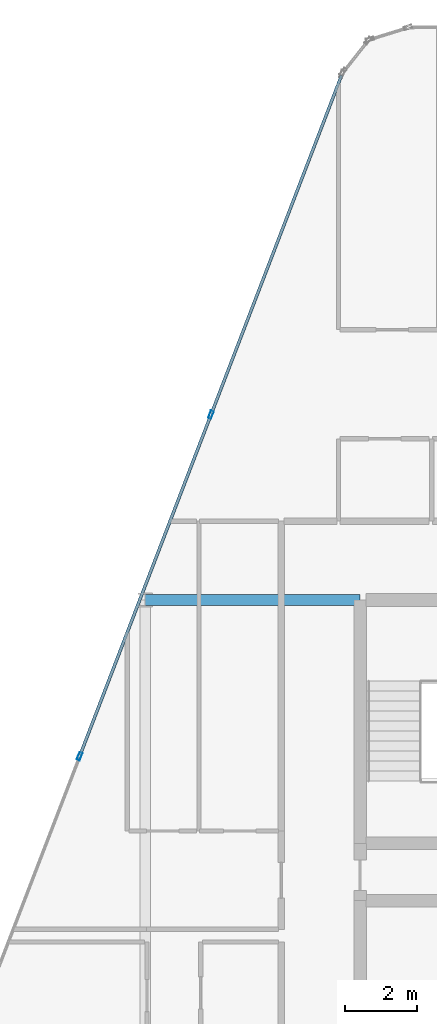
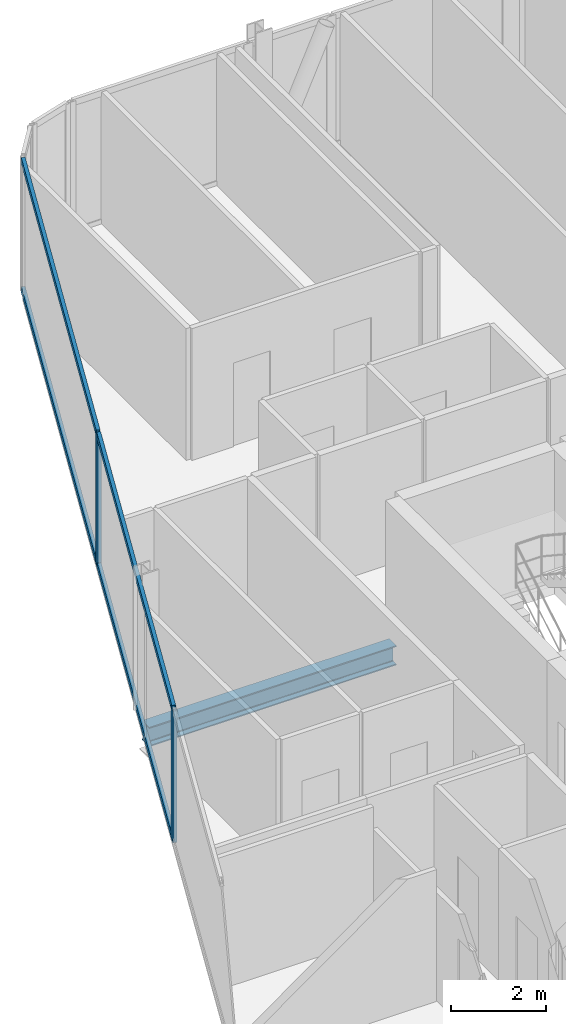
# One storey, part 12 of 33: 6 members, 1 beam, 1 element without a shape of its own.
"""IFC4 building model written with IfcOpenShell, lengths in metres."""

from ifc_helpers import new_model, si_unit, direction, frame, origin, origin_2d, place, context, subcontext, project, spatial, hollow_rectangle, i_section, extrude, material, layer, layer_set, material_profile, profile_set, type_object, element, aggregate, save


model = new_model("IFC4")

# Units and contexts
model_context = context("Model", 3, precision=1e-05, world=origin(), true_north=direction((0.0, 1.0)))
body_context = subcontext(model_context, "Body", "Model", "MODEL_VIEW")
ifc_project = project(units=[si_unit("LENGTHUNIT", "METRE"), si_unit("AREAUNIT", "SQUARE_METRE"), si_unit("VOLUMEUNIT", "CUBIC_METRE"), si_unit("PLANEANGLEUNIT", "RADIAN"), si_unit("MASSUNIT", "GRAM", prefix="KILO")], contexts=[model_context])

# Site, building, storey
site_placement = place(None, origin())
site = spatial("IfcSite", under=ifc_project, at=site_placement, CompositionType="ELEMENT")
building_placement = place(site_placement, origin())
building = spatial("IfcBuilding", under=site, at=building_placement, Name="Keshet Zoharim Tower", CompositionType="ELEMENT")
storey_placement = place(building_placement, frame((0.0, 0.0, 73.800048828125)))
storey = spatial("IfcBuildingStorey", under=building, at=storey_placement, Name="L17", CompositionType="ELEMENT", Elevation=73.800048828125)

# Beam
ifc_material_1 = material(Name="Steel S355", Category="steel")
ifc_material_profile_1 = material_profile(ifc_material_1, i_section(OverallWidth=0.300048828125, OverallDepth=0.5, WebThickness=0.014404296875, FlangeThickness=0.028076171875, FilletRadius=0.027099609375, at=origin_2d()), Name="HEB500")
ifc_profile_set_1 = profile_set([ifc_material_profile_1], Name="Steel S355")
beam_type = type_object("IfcBeamType", Name="BM-WEB-HB500", PredefinedType="BEAM", material=ifc_profile_set_1)
beam_placement = place(storey_placement, frame((9.0, 37.89990234375, -0.56494140625), z_axis=(1.0, 0.0, 0.0), x_axis=(0.0, 1.0, 0.0)))
element("IfcBeam", 1, at=beam_placement, inside=storey, type_object=beam_type, Name="L17 Primary Girder X-028", PredefinedType="BEAM", context=body_context, shape_type="SweptSolid", body=[
    extrude(i_section(OverallWidth=0.300048828125, OverallDepth=0.5, WebThickness=0.014404296875, FlangeThickness=0.028076171875, FilletRadius=0.027099609375, at=origin_2d()), origin(), (0.0, 0.0, 1.0), 6.0),
])

# Curtain wall, members
ifc_material_2 = material(Name="Aluminium 6063-T6", Category="aluminium")
ifc_layer = layer(ifc_material_2, 0.179931640625)
ifc_layer_set = layer_set([ifc_layer], Name="Aluminium 6063-T6")
curtain_wall_type = type_object("IfcCurtainWallType", Name="CW-SYS-01", PredefinedType="NOTDEFINED", material=ifc_layer_set)
curtain_wall_placement = place(storey_placement, origin())
curtain_wall = element("IfcCurtainWall", 2, at=curtain_wall_placement, inside=storey, type_object=curtain_wall_type, Name="L17 Unitised Curtain Wall 04", PredefinedType="NOTDEFINED")
ifc_material_profile_2 = material_profile(ifc_material_2, hollow_rectangle(XDim=0.090087890625, YDim=0.219970703125, WallThickness=0.0048828125, at=origin_2d()), Name="MUL-90x220")
ifc_profile_set_2 = profile_set([ifc_material_profile_2], Name="Aluminium 6063-T6")
member_type_1 = type_object("IfcMemberType", Name="CWM-M22", PredefinedType="MULLION", material=ifc_profile_set_2)
member_1_placement = place(storey_placement, frame((7.1669921875, 33.53466796875, 0.0), z_axis=(0.0, 0.0, 1.0), x_axis=(-0.933341404361, 0.358990003907, 0.0)))
member_1 = element("IfcMember", 3, at=member_1_placement, type_object=member_type_1, Name="CW-01 mullion 2", PredefinedType="MULLION", context=body_context, shape_type="SweptSolid", body=[
    extrude(hollow_rectangle(XDim=0.090087890625, YDim=0.219970703125, WallThickness=0.0048828125, at=origin_2d()), origin(), (0.0, 0.0, 1.0), 3.385009765625),
])
member_2_placement = place(storey_placement, frame((10.8369140625, 43.076416015625, 0.0), z_axis=(0.0, 0.0, 1.0), x_axis=(-0.933341404361, 0.358990003907, 0.0)))
member_2 = element("IfcMember", 4, at=member_2_placement, type_object=member_type_1, Name="CW-01 mullion 3", PredefinedType="MULLION", context=body_context, shape_type="SweptSolid", body=[
    extrude(hollow_rectangle(XDim=0.090087890625, YDim=0.219970703125, WallThickness=0.0048828125, at=origin_2d()), origin(), (0.0, 0.0, 1.0), 3.385009765625),
])
ifc_material_profile_3 = material_profile(ifc_material_2, hollow_rectangle(XDim=0.0849609375, YDim=0.159912109375, WallThickness=0.00439453125, at=origin_2d()), Name="TRN-85x160")
ifc_profile_set_3 = profile_set([ifc_material_profile_3], Name="Aluminium 6063-T6")
member_type_2 = type_object("IfcMemberType", Name="CWT-T16", PredefinedType="USERDEFINED", material=ifc_profile_set_3)
member_3_placement = place(storey_placement, frame((7.179443359375, 33.5673828125, 0.034912109375), z_axis=(0.359003248899, 0.933336309848, 0.0), x_axis=(-0.933336309848, 0.359003248899, 0.0)))
member_3 = element("IfcMember", 5, at=member_3_placement, type_object=member_type_2, Name="CW-01 transom 2.1", ObjectType="TRANSOM", PredefinedType="USERDEFINED", context=body_context, shape_type="SweptSolid", body=[
    extrude(hollow_rectangle(XDim=0.0849609375, YDim=0.159912109375, WallThickness=0.00439453125, at=origin_2d()), origin(), (0.0, 0.0, 1.0), 10.153076171875),
])
member_4_placement = place(storey_placement, frame((7.179443359375, 33.5673828125, 3.349853515625), z_axis=(0.359003248899, 0.933336309848, 0.0), x_axis=(-0.933336309848, 0.359003248899, 0.0)))
member_4 = element("IfcMember", 6, at=member_4_placement, type_object=member_type_2, Name="CW-01 transom 2.2", ObjectType="TRANSOM", PredefinedType="USERDEFINED", context=body_context, shape_type="SweptSolid", body=[
    extrude(hollow_rectangle(XDim=0.0849609375, YDim=0.159912109375, WallThickness=0.00439453125, at=origin_2d()), origin(), (0.0, 0.0, 1.0), 10.153076171875),
])
member_5_placement = place(storey_placement, frame((10.849609375, 43.10888671875, 0.034912109375), z_axis=(0.358985546764, 0.933343118694, 0.0), x_axis=(-0.933343118694, 0.358985546764, 0.0)))
member_5 = element("IfcMember", 7, at=member_5_placement, type_object=member_type_2, Name="CW-01 transom 3.1", ObjectType="TRANSOM", PredefinedType="USERDEFINED", context=body_context, shape_type="SweptSolid", body=[
    extrude(hollow_rectangle(XDim=0.0849609375, YDim=0.159912109375, WallThickness=0.00439453125, at=origin_2d()), origin(), (0.0, 0.0, 1.0), 10.118408203125),
])
member_6_placement = place(storey_placement, frame((10.849609375, 43.10888671875, 3.349853515625), z_axis=(0.358985546764, 0.933343118694, 0.0), x_axis=(-0.933343118694, 0.358985546764, 0.0)))
member_6 = element("IfcMember", 8, at=member_6_placement, type_object=member_type_2, Name="CW-01 transom 3.2", ObjectType="TRANSOM", PredefinedType="USERDEFINED", context=body_context, shape_type="SweptSolid", body=[
    extrude(hollow_rectangle(XDim=0.0849609375, YDim=0.159912109375, WallThickness=0.00439453125, at=origin_2d()), origin(), (0.0, 0.0, 1.0), 10.118408203125),
])
aggregate(curtain_wall, [member_1, member_2, member_3, member_4, member_5, member_6])

save(model, "model.ifc")
